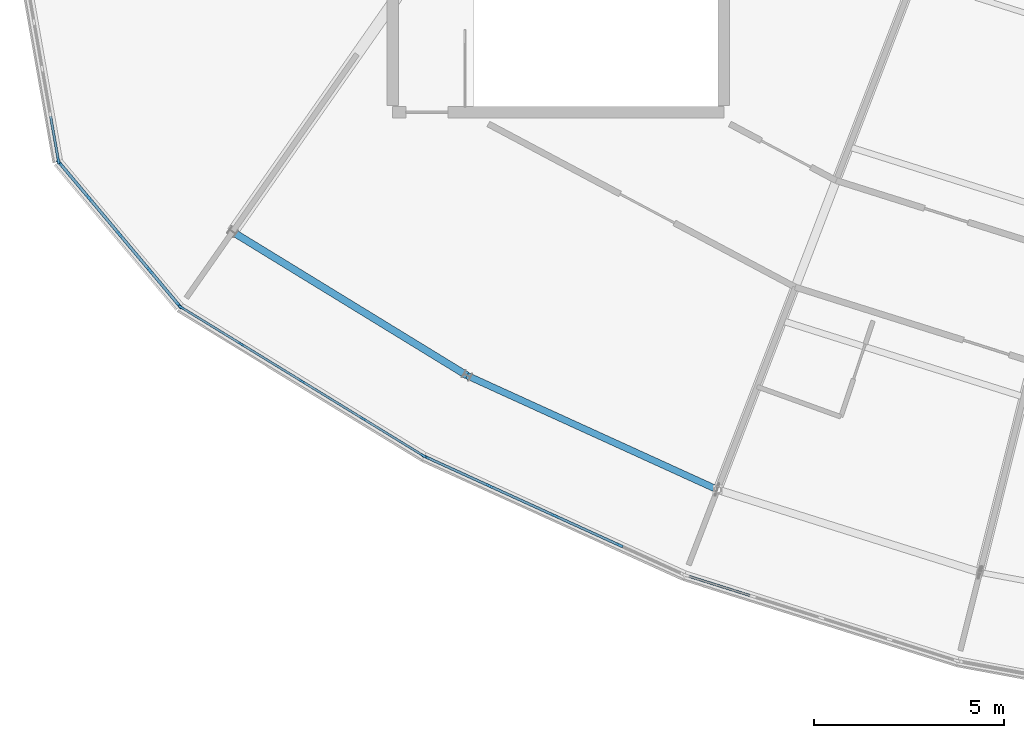
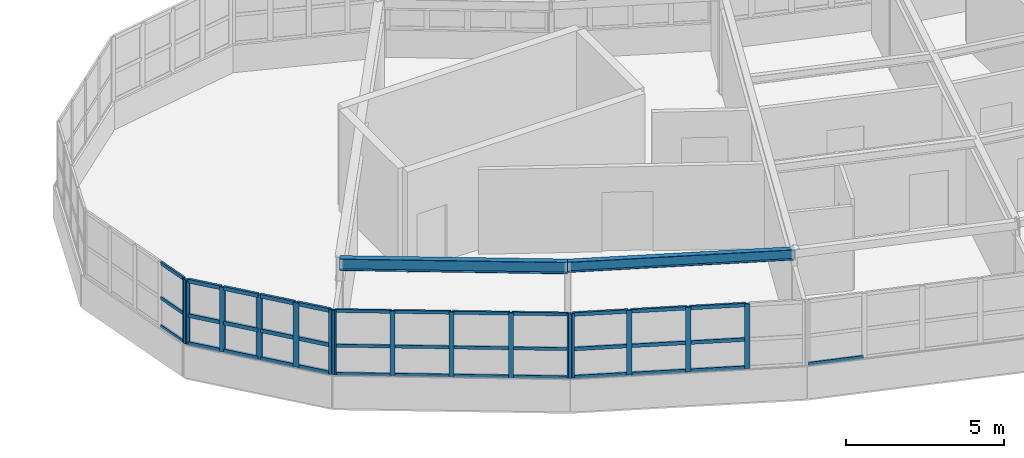
# One storey, part 14 of 60: 52 members, 2 beams, 5 elements without a shape of their own.
"""IFC4 building model written with IfcOpenShell, lengths in metres."""

from ifc_helpers import new_model, si_unit, direction, frame, origin, origin_2d, place, context, subcontext, project, spatial, rectangle, i_section, extrude, material, layer, layer_set, material_profile, profile_set, type_object, element, aggregate, save


model = new_model("IFC4")

# Units and contexts
model_context = context("Model", 3, precision=1e-05, world=origin(), true_north=direction((0.0, 1.0)))
body_context = subcontext(model_context, "Body", "Model", "MODEL_VIEW")
ifc_project = project(units=[si_unit("LENGTHUNIT", "METRE"), si_unit("AREAUNIT", "SQUARE_METRE"), si_unit("VOLUMEUNIT", "CUBIC_METRE"), si_unit("PLANEANGLEUNIT", "RADIAN"), si_unit("MASSUNIT", "GRAM", prefix="KILO")], contexts=[model_context])

# Site, building, storey
site_placement = place(None, origin())
site = spatial("IfcSite", under=ifc_project, at=site_placement, CompositionType="ELEMENT")
building_placement = place(site_placement, origin())
building = spatial("IfcBuilding", under=site, at=building_placement, Name="Tarnwether General Hospital", CompositionType="ELEMENT")
storey_placement = place(building_placement, frame((0.0, 0.0, 26.10009765625)))
storey = spatial("IfcBuildingStorey", under=building, at=storey_placement, Name="L06", CompositionType="ELEMENT", Elevation=26.10009765625)

# Beams
ifc_material_1 = material(Name="Steel Grade 350 (350 MPa)", Category="steel")
ifc_material_profile_1 = material_profile(ifc_material_1, i_section(OverallWidth=0.18994140625, OverallDepth=0.4541015625, WebThickness=0.008544921875, FlangeThickness=0.0126953125, at=origin_2d()), Name="460UB67.1")
ifc_profile_set_1 = profile_set([ifc_material_profile_1], Name="Steel Grade 350 (350 MPa)")
beam_type_1 = type_object("IfcBeamType", Name="BM-SP1", PredefinedType="SPANDREL", material=ifc_profile_set_1)
beam_1_placement = place(storey_placement, frame((58.0439453125, 14.506103515625, 3.6728515625), z_axis=(0.852678430503, -0.522436114902, 0.0), x_axis=(0.522436114902, 0.852678430503, 0.0)))
element("IfcBeam", 1, at=beam_1_placement, inside=storey, type_object=beam_type_1, Name="Curved Ward SE Outer Spandrel BMG-L06-5804_1451-6421_1073-2198", PredefinedType="SPANDREL", context=body_context, shape_type="SweptSolid", body=[
    extrude(i_section(OverallWidth=0.18994140625, OverallDepth=0.4541015625, WebThickness=0.008544921875, FlangeThickness=0.0126953125, at=origin_2d()), origin(), (0.0, 0.0, 1.0), 7.22802734375),
])
ifc_material_2 = material(Name="Steel Grade 350 (350 MPa)", Category="steel")
ifc_material_profile_2 = material_profile(ifc_material_2, i_section(OverallWidth=0.177978515625, OverallDepth=0.403076171875, WebThickness=0.007568359375, FlangeThickness=0.010986328125, at=origin_2d()), Name="410UB53.7")
ifc_profile_set_2 = profile_set([ifc_material_profile_2], Name="Steel Grade 350 (350 MPa)")
beam_type_2 = type_object("IfcBeamType", Name="BM-SP2", PredefinedType="SPANDREL", material=ifc_profile_set_2)
beam_2_placement = place(storey_placement, frame((64.20703125, 10.72998046875, 3.698486328125), z_axis=(0.909943842177, -0.414731484316, 0.0), x_axis=(0.414731484316, 0.909943842177, 0.0)))
element("IfcBeam", 2, at=beam_2_placement, inside=storey, type_object=beam_type_2, Name="Curved Ward SE Outer Spandrel BMG-L06-6421_1073-7078_773-2200", PredefinedType="SPANDREL", context=body_context, shape_type="SweptSolid", body=[
    extrude(i_section(OverallWidth=0.177978515625, OverallDepth=0.403076171875, WebThickness=0.007568359375, FlangeThickness=0.010986328125, at=origin_2d()), origin(), (0.0, 0.0, 1.0), 7.22900390625),
])

# Curtain wall, members
ifc_material_3 = material(Name="Anodised aluminium", Category="aluminium")
ifc_layer_1 = layer(ifc_material_3, 0.179931640625)
ifc_layer_set_1 = layer_set([ifc_layer_1], Name="Anodised aluminium")
curtain_wall_type_1 = type_object("IfcCurtainWallType", Name="CW-11", PredefinedType="NOTDEFINED", material=ifc_layer_set_1)
curtain_wall_1_placement = place(storey_placement, origin())
curtain_wall_1 = element("IfcCurtainWall", 3, at=curtain_wall_1_placement, inside=storey, type_object=curtain_wall_type_1, Name="Curtain Wall CWG-L06-631_86-0245", PredefinedType="NOTDEFINED")
ifc_material_4 = material(Name="Anodised aluminium", Category="aluminium")
ifc_material_profile_3 = material_profile(ifc_material_4, rectangle(XDim=0.06005859375, YDim=0.159912109375, at=origin_2d()), Name="ALU-MUL-60x160")
ifc_profile_set_3 = profile_set([ifc_material_profile_3], Name="Anodised aluminium")
member_type_1 = type_object("IfcMemberType", Name="CW-ML1", PredefinedType="MULLION", material=ifc_profile_set_3)
member_1_placement = place(storey_placement, frame((63.055419921875, 8.625732421875, 1.0498046875), z_axis=(0.0, 0.0, 1.0), x_axis=(-0.522509056361, -0.852633734977, 0.0)))
member_1 = element("IfcMember", 4, at=member_1_placement, type_object=member_type_1, Name="CW-11 mullion 1", PredefinedType="MULLION", context=body_context, shape_type="SweptSolid", body=[
    extrude(rectangle(XDim=0.06005859375, YDim=0.159912109375, at=origin_2d()), origin(), (0.0, 0.0, 1.0), 2.4951171875),
])
member_2_placement = place(storey_placement, frame((61.477783203125, 9.592529296875, 1.0498046875), z_axis=(0.0, 0.0, 1.0), x_axis=(-0.522509056361, -0.852633734977, 0.0)))
member_2 = element("IfcMember", 5, at=member_2_placement, type_object=member_type_1, Name="CW-11 mullion 2", PredefinedType="MULLION", context=body_context, shape_type="SweptSolid", body=[
    extrude(rectangle(XDim=0.06005859375, YDim=0.159912109375, at=origin_2d()), origin(), (0.0, 0.0, 1.0), 2.4951171875),
])
member_3_placement = place(storey_placement, frame((59.87451171875, 10.574951171875, 1.0498046875), z_axis=(0.0, 0.0, 1.0), x_axis=(-0.522509056361, -0.852633734977, 0.0)))
member_3 = element("IfcMember", 6, at=member_3_placement, type_object=member_type_1, Name="CW-11 mullion 3", PredefinedType="MULLION", context=body_context, shape_type="SweptSolid", body=[
    extrude(rectangle(XDim=0.06005859375, YDim=0.159912109375, at=origin_2d()), origin(), (0.0, 0.0, 1.0), 2.4951171875),
])
member_4_placement = place(storey_placement, frame((58.271240234375, 11.5576171875, 1.0498046875), z_axis=(0.0, 0.0, 1.0), x_axis=(-0.522509056361, -0.852633734977, 0.0)))
member_4 = element("IfcMember", 7, at=member_4_placement, type_object=member_type_1, Name="CW-11 mullion 4", PredefinedType="MULLION", context=body_context, shape_type="SweptSolid", body=[
    extrude(rectangle(XDim=0.06005859375, YDim=0.159912109375, at=origin_2d()), origin(), (0.0, 0.0, 1.0), 2.4951171875),
])
member_5_placement = place(storey_placement, frame((56.693603515625, 12.5244140625, 1.0498046875), z_axis=(0.0, 0.0, 1.0), x_axis=(-0.522509056361, -0.852633734977, 0.0)))
member_5 = element("IfcMember", 8, at=member_5_placement, type_object=member_type_1, Name="CW-11 mullion 5", PredefinedType="MULLION", context=body_context, shape_type="SweptSolid", body=[
    extrude(rectangle(XDim=0.06005859375, YDim=0.159912109375, at=origin_2d()), origin(), (0.0, 0.0, 1.0), 2.4951171875),
])

curtain_wall_2_placement = place(storey_placement, origin())
curtain_wall_2 = element("IfcCurtainWall", 9, at=curtain_wall_2_placement, inside=storey, type_object=curtain_wall_type_1, Name="Curtain Wall CWG-L06-699_55-0246", PredefinedType="NOTDEFINED")
ifc_material_5 = material(Name="Anodised aluminium", Category="aluminium")
ifc_material_profile_4 = material_profile(ifc_material_5, rectangle(XDim=0.070068359375, YDim=0.179931640625, at=origin_2d()), Name="ALU-MUL-70x180")
ifc_profile_set_4 = profile_set([ifc_material_profile_4], Name="Anodised aluminium")
member_type_2 = type_object("IfcMemberType", Name="CW-ML2", PredefinedType="MULLION", material=ifc_profile_set_4)
member_6_placement = place(storey_placement, frame((68.214111328125, 6.270751953125, 1.0498046875), z_axis=(0.0, 0.0, 1.0), x_axis=(-0.414694289316, -0.909960793886, 0.0)))
member_6 = element("IfcMember", 10, at=member_6_placement, type_object=member_type_2, Name="CW-11 mullion 2", PredefinedType="MULLION", context=body_context, shape_type="SweptSolid", body=[
    extrude(rectangle(XDim=0.070068359375, YDim=0.179931640625, at=origin_2d()), origin(), (0.0, 0.0, 1.0), 2.4951171875),
])
member_7_placement = place(storey_placement, frame((66.5029296875, 7.050537109375, 1.0498046875), z_axis=(0.0, 0.0, 1.0), x_axis=(-0.414694289316, -0.909960793886, 0.0)))
member_7 = element("IfcMember", 11, at=member_7_placement, type_object=member_type_2, Name="CW-11 mullion 3", PredefinedType="MULLION", context=body_context, shape_type="SweptSolid", body=[
    extrude(rectangle(XDim=0.070068359375, YDim=0.179931640625, at=origin_2d()), origin(), (0.0, 0.0, 1.0), 2.4951171875),
])
member_8_placement = place(storey_placement, frame((64.7919921875, 7.830322265625, 1.0498046875), z_axis=(0.0, 0.0, 1.0), x_axis=(-0.414694289316, -0.909960793886, 0.0)))
member_8 = element("IfcMember", 12, at=member_8_placement, type_object=member_type_2, Name="CW-11 mullion 4", PredefinedType="MULLION", context=body_context, shape_type="SweptSolid", body=[
    extrude(rectangle(XDim=0.070068359375, YDim=0.179931640625, at=origin_2d()), origin(), (0.0, 0.0, 1.0), 2.4951171875),
])
member_9_placement = place(storey_placement, frame((63.11279296875, 8.595458984375, 1.0498046875), z_axis=(0.0, 0.0, 1.0), x_axis=(-0.414694289316, -0.909960793886, 0.0)))
member_9 = element("IfcMember", 13, at=member_9_placement, type_object=member_type_2, Name="CW-11 mullion 5", PredefinedType="MULLION", context=body_context, shape_type="SweptSolid", body=[
    extrude(rectangle(XDim=0.070068359375, YDim=0.179931640625, at=origin_2d()), origin(), (0.0, 0.0, 1.0), 2.4951171875),
])

# Curtain wall, member
ifc_material_6 = material(Name="Anodised aluminium", Category="aluminium")
ifc_layer_2 = layer(ifc_material_6, 0.159912109375)
ifc_layer_set_2 = layer_set([ifc_layer_2], Name="Anodised aluminium")
curtain_wall_type_2 = type_object("IfcCurtainWallType", Name="CW-03", PredefinedType="NOTDEFINED", material=ifc_layer_set_2)
curtain_wall_3_placement = place(storey_placement, origin())
curtain_wall_3 = element("IfcCurtainWall", 14, at=curtain_wall_3_placement, inside=storey, type_object=curtain_wall_type_2, Name="Curtain Wall CWG-L06-535_163-0271", PredefinedType="NOTDEFINED")
ifc_material_7 = material(Name="Anodised aluminium", Category="aluminium")
ifc_material_profile_5 = material_profile(ifc_material_7, rectangle(XDim=0.06494140625, YDim=0.169921875, at=origin_2d()), Name="ALU-MUL-65x170")
ifc_profile_set_5 = profile_set([ifc_material_profile_5], Name="Anodised aluminium")
member_type_3 = type_object("IfcMemberType", Name="CW-ML3", PredefinedType="MULLION", material=ifc_profile_set_5)
member_10_placement = place(storey_placement, frame((53.46728515625, 16.37890625, 1.0498046875), z_axis=(0.0, 0.0, 1.0), x_axis=(-0.984840230098, -0.173463890135, 0.0)))
member_10 = element("IfcMember", 15, at=member_10_placement, type_object=member_type_3, Name="CW-03 mullion 1", PredefinedType="MULLION", context=body_context, shape_type="SweptSolid", body=[
    extrude(rectangle(XDim=0.06494140625, YDim=0.169921875, at=origin_2d()), origin(), (0.0, 0.0, 1.0), 2.4951171875),
])

# Curtain wall, members
curtain_wall_4_placement = place(storey_placement, origin())
curtain_wall_4 = element("IfcCurtainWall", 16, at=curtain_wall_4_placement, inside=storey, type_object=curtain_wall_type_2, Name="Curtain Wall CWG-L06-567_125-0272", PredefinedType="NOTDEFINED")
ifc_material_8 = material(Name="Anodised aluminium", Category="aluminium")
ifc_material_profile_6 = material_profile(ifc_material_8, rectangle(XDim=0.080078125, YDim=0.199951171875, at=origin_2d()), Name="ALU-MUL-80x200")
ifc_profile_set_6 = profile_set([ifc_material_profile_6], Name="Anodised aluminium")
member_type_4 = type_object("IfcMemberType", Name="CW-ML4", PredefinedType="MULLION", material=ifc_profile_set_6)
member_11_placement = place(storey_placement, frame((56.642333984375, 12.570556640625, 1.0498046875), z_axis=(0.0, 0.0, 1.0), x_axis=(-0.765990176896, -0.64285227611, 0.0)))
member_11 = element("IfcMember", 17, at=member_11_placement, type_object=member_type_4, Name="CW-03 mullion 1", PredefinedType="MULLION", context=body_context, shape_type="SweptSolid", body=[
    extrude(rectangle(XDim=0.080078125, YDim=0.199951171875, at=origin_2d()), origin(), (0.0, 0.0, 1.0), 2.4951171875),
])
member_12_placement = place(storey_placement, frame((55.869140625, 13.49169921875, 1.0498046875), z_axis=(0.0, 0.0, 1.0), x_axis=(-0.765990176896, -0.64285227611, 0.0)))
member_12 = element("IfcMember", 18, at=member_12_placement, type_object=member_type_4, Name="CW-03 mullion 2", PredefinedType="MULLION", context=body_context, shape_type="SweptSolid", body=[
    extrude(rectangle(XDim=0.080078125, YDim=0.199951171875, at=origin_2d()), origin(), (0.0, 0.0, 1.0), 2.4951171875),
])
member_13_placement = place(storey_placement, frame((55.070556640625, 14.443603515625, 1.0498046875), z_axis=(0.0, 0.0, 1.0), x_axis=(-0.765990176896, -0.64285227611, 0.0)))
member_13 = element("IfcMember", 19, at=member_13_placement, type_object=member_type_4, Name="CW-03 mullion 3", PredefinedType="MULLION", context=body_context, shape_type="SweptSolid", body=[
    extrude(rectangle(XDim=0.080078125, YDim=0.199951171875, at=origin_2d()), origin(), (0.0, 0.0, 1.0), 2.4951171875),
])
member_14_placement = place(storey_placement, frame((54.271728515625, 15.395263671875, 1.0498046875), z_axis=(0.0, 0.0, 1.0), x_axis=(-0.765990176896, -0.64285227611, 0.0)))
member_14 = element("IfcMember", 20, at=member_14_placement, type_object=member_type_4, Name="CW-03 mullion 4", PredefinedType="MULLION", context=body_context, shape_type="SweptSolid", body=[
    extrude(rectangle(XDim=0.080078125, YDim=0.199951171875, at=origin_2d()), origin(), (0.0, 0.0, 1.0), 2.4951171875),
])
member_15_placement = place(storey_placement, frame((53.498779296875, 16.31640625, 1.0498046875), z_axis=(0.0, 0.0, 1.0), x_axis=(-0.765990176896, -0.64285227611, 0.0)))
member_15 = element("IfcMember", 21, at=member_15_placement, type_object=member_type_4, Name="CW-03 mullion 5", PredefinedType="MULLION", context=body_context, shape_type="SweptSolid", body=[
    extrude(rectangle(XDim=0.080078125, YDim=0.199951171875, at=origin_2d()), origin(), (0.0, 0.0, 1.0), 2.4951171875),
])

# Member
ifc_material_9 = material(Name="Anodised aluminium", Category="aluminium")
ifc_material_profile_7 = material_profile(ifc_material_9, rectangle(XDim=0.06005859375, YDim=0.1201171875, at=origin_2d()), Name="ALU-TRN-60x120")
ifc_profile_set_7 = profile_set([ifc_material_profile_7], Name="Anodised aluminium")
member_type_5 = type_object("IfcMemberType", Name="CW-TR1", PredefinedType="USERDEFINED", material=ifc_profile_set_7)
member_16_placement = place(storey_placement, frame((63.02978515625, 8.641357421875, 1.079833984375), z_axis=(-0.852593412512, 0.522574849128, 0.0), x_axis=(-0.522574849128, -0.852593412512, 0.0)))
member_16 = element("IfcMember", 22, at=member_16_placement, type_object=member_type_5, Name="CW-11 transom 1.1", ObjectType="TRANSOM", PredefinedType="USERDEFINED", context=body_context, shape_type="SweptSolid", body=[
    extrude(rectangle(XDim=0.06005859375, YDim=0.1201171875, at=origin_2d()), origin(), (0.0, 0.0, 1.0), 1.790283203125),
])

member_17_placement = place(storey_placement, frame((63.02978515625, 8.641357421875, 2.172607421875), z_axis=(-0.852593412512, 0.522574849128, 0.0), x_axis=(-0.522574849128, -0.852593412512, 0.0)))
member_17 = element("IfcMember", 23, at=member_17_placement, type_object=member_type_5, Name="CW-11 transom 1.2", ObjectType="TRANSOM", PredefinedType="USERDEFINED", context=body_context, shape_type="SweptSolid", body=[
    extrude(rectangle(XDim=0.06005859375, YDim=0.1201171875, at=origin_2d()), origin(), (0.0, 0.0, 1.0), 1.790283203125),
])

member_18_placement = place(storey_placement, frame((63.02978515625, 8.641357421875, 3.514892578125), z_axis=(-0.852593412512, 0.522574849128, 0.0), x_axis=(-0.522574849128, -0.852593412512, 0.0)))
member_18 = element("IfcMember", 24, at=member_18_placement, type_object=member_type_5, Name="CW-11 transom 1.3", ObjectType="TRANSOM", PredefinedType="USERDEFINED", context=body_context, shape_type="SweptSolid", body=[
    extrude(rectangle(XDim=0.06005859375, YDim=0.1201171875, at=origin_2d()), origin(), (0.0, 0.0, 1.0), 1.790283203125),
])

member_19_placement = place(storey_placement, frame((61.4521484375, 9.608154296875, 1.079833984375), z_axis=(-0.852614745509, 0.522540042237, 0.0), x_axis=(-0.522540042237, -0.852614745509, 0.0)))
member_19 = element("IfcMember", 25, at=member_19_placement, type_object=member_type_5, Name="CW-11 transom 2.1", ObjectType="TRANSOM", PredefinedType="USERDEFINED", context=body_context, shape_type="SweptSolid", body=[
    extrude(rectangle(XDim=0.06005859375, YDim=0.1201171875, at=origin_2d()), origin(), (0.0, 0.0, 1.0), 1.8203125),
])

member_20_placement = place(storey_placement, frame((61.4521484375, 9.608154296875, 2.172607421875), z_axis=(-0.852614745509, 0.522540042237, 0.0), x_axis=(-0.522540042237, -0.852614745509, 0.0)))
member_20 = element("IfcMember", 26, at=member_20_placement, type_object=member_type_5, Name="CW-11 transom 2.2", ObjectType="TRANSOM", PredefinedType="USERDEFINED", context=body_context, shape_type="SweptSolid", body=[
    extrude(rectangle(XDim=0.06005859375, YDim=0.1201171875, at=origin_2d()), origin(), (0.0, 0.0, 1.0), 1.8203125),
])

member_21_placement = place(storey_placement, frame((61.4521484375, 9.608154296875, 3.514892578125), z_axis=(-0.852614745509, 0.522540042237, 0.0), x_axis=(-0.522540042237, -0.852614745509, 0.0)))
member_21 = element("IfcMember", 27, at=member_21_placement, type_object=member_type_5, Name="CW-11 transom 2.3", ObjectType="TRANSOM", PredefinedType="USERDEFINED", context=body_context, shape_type="SweptSolid", body=[
    extrude(rectangle(XDim=0.06005859375, YDim=0.1201171875, at=origin_2d()), origin(), (0.0, 0.0, 1.0), 1.8203125),
])

member_22_placement = place(storey_placement, frame((59.848876953125, 10.590576171875, 1.079833984375), z_axis=(-0.852614745509, 0.522540042237, 0.0), x_axis=(-0.522540042237, -0.852614745509, 0.0)))
member_22 = element("IfcMember", 28, at=member_22_placement, type_object=member_type_5, Name="CW-11 transom 3.1", ObjectType="TRANSOM", PredefinedType="USERDEFINED", context=body_context, shape_type="SweptSolid", body=[
    extrude(rectangle(XDim=0.06005859375, YDim=0.1201171875, at=origin_2d()), origin(), (0.0, 0.0, 1.0), 1.8203125),
])

member_23_placement = place(storey_placement, frame((59.848876953125, 10.590576171875, 2.172607421875), z_axis=(-0.852614745509, 0.522540042237, 0.0), x_axis=(-0.522540042237, -0.852614745509, 0.0)))
member_23 = element("IfcMember", 29, at=member_23_placement, type_object=member_type_5, Name="CW-11 transom 3.2", ObjectType="TRANSOM", PredefinedType="USERDEFINED", context=body_context, shape_type="SweptSolid", body=[
    extrude(rectangle(XDim=0.06005859375, YDim=0.1201171875, at=origin_2d()), origin(), (0.0, 0.0, 1.0), 1.8203125),
])

member_24_placement = place(storey_placement, frame((59.848876953125, 10.590576171875, 3.514892578125), z_axis=(-0.852614745509, 0.522540042237, 0.0), x_axis=(-0.522540042237, -0.852614745509, 0.0)))
member_24 = element("IfcMember", 30, at=member_24_placement, type_object=member_type_5, Name="CW-11 transom 3.3", ObjectType="TRANSOM", PredefinedType="USERDEFINED", context=body_context, shape_type="SweptSolid", body=[
    extrude(rectangle(XDim=0.06005859375, YDim=0.1201171875, at=origin_2d()), origin(), (0.0, 0.0, 1.0), 1.8203125),
])

member_25_placement = place(storey_placement, frame((58.24560546875, 11.5732421875, 1.079833984375), z_axis=(-0.852654170479, 0.52247570811, 0.0), x_axis=(-0.52247570811, -0.852654170479, 0.0)))
member_25 = element("IfcMember", 31, at=member_25_placement, type_object=member_type_5, Name="CW-11 transom 4.1", ObjectType="TRANSOM", PredefinedType="USERDEFINED", context=body_context, shape_type="SweptSolid", body=[
    extrude(rectangle(XDim=0.06005859375, YDim=0.1201171875, at=origin_2d()), origin(), (0.0, 0.0, 1.0), 1.7900390625),
])

member_26_placement = place(storey_placement, frame((58.24560546875, 11.5732421875, 2.172607421875), z_axis=(-0.852654170479, 0.52247570811, 0.0), x_axis=(-0.52247570811, -0.852654170479, 0.0)))
member_26 = element("IfcMember", 32, at=member_26_placement, type_object=member_type_5, Name="CW-11 transom 4.2", ObjectType="TRANSOM", PredefinedType="USERDEFINED", context=body_context, shape_type="SweptSolid", body=[
    extrude(rectangle(XDim=0.06005859375, YDim=0.1201171875, at=origin_2d()), origin(), (0.0, 0.0, 1.0), 1.7900390625),
])

member_27_placement = place(storey_placement, frame((58.24560546875, 11.5732421875, 3.514892578125), z_axis=(-0.852654170479, 0.52247570811, 0.0), x_axis=(-0.52247570811, -0.852654170479, 0.0)))
member_27 = element("IfcMember", 33, at=member_27_placement, type_object=member_type_5, Name="CW-11 transom 4.3", ObjectType="TRANSOM", PredefinedType="USERDEFINED", context=body_context, shape_type="SweptSolid", body=[
    extrude(rectangle(XDim=0.06005859375, YDim=0.1201171875, at=origin_2d()), origin(), (0.0, 0.0, 1.0), 1.7900390625),
])

aggregate(curtain_wall_1, [member_1, member_2, member_3, member_4, member_5, member_16, member_17, member_18, member_19, member_20, member_21, member_22, member_23, member_24, member_25, member_26, member_27])

ifc_material_10 = material(Name="Anodised aluminium", Category="aluminium")
ifc_material_profile_8 = material_profile(ifc_material_10, rectangle(XDim=0.070068359375, YDim=0.139892578125, at=origin_2d()), Name="ALU-TRN-70x140")
ifc_profile_set_8 = profile_set([ifc_material_profile_8], Name="Anodised aluminium")
member_type_6 = type_object("IfcMemberType", Name="CW-TR2", PredefinedType="USERDEFINED", material=ifc_profile_set_8)
member_28_placement = place(storey_placement, frame((68.18212890625, 6.28515625, 1.0849609375), z_axis=(-0.90995033094, 0.414717247316, 0.0), x_axis=(-0.414717247316, -0.90995033094, 0.0)))
member_28 = element("IfcMember", 34, at=member_28_placement, type_object=member_type_6, Name="CW-11 transom 2.1", ObjectType="TRANSOM", PredefinedType="USERDEFINED", context=body_context, shape_type="SweptSolid", body=[
    extrude(rectangle(XDim=0.070068359375, YDim=0.139892578125, at=origin_2d()), origin(), (0.0, 0.0, 1.0), 1.810302734375),
])

member_29_placement = place(storey_placement, frame((68.18212890625, 6.28515625, 2.172607421875), z_axis=(-0.90995033094, 0.414717247316, 0.0), x_axis=(-0.414717247316, -0.90995033094, 0.0)))
member_29 = element("IfcMember", 35, at=member_29_placement, type_object=member_type_6, Name="CW-11 transom 2.2", ObjectType="TRANSOM", PredefinedType="USERDEFINED", context=body_context, shape_type="SweptSolid", body=[
    extrude(rectangle(XDim=0.070068359375, YDim=0.139892578125, at=origin_2d()), origin(), (0.0, 0.0, 1.0), 1.810302734375),
])

member_30_placement = place(storey_placement, frame((68.18212890625, 6.28515625, 3.510009765625), z_axis=(-0.90995033094, 0.414717247316, 0.0), x_axis=(-0.414717247316, -0.90995033094, 0.0)))
member_30 = element("IfcMember", 36, at=member_30_placement, type_object=member_type_6, Name="CW-11 transom 2.3", ObjectType="TRANSOM", PredefinedType="USERDEFINED", context=body_context, shape_type="SweptSolid", body=[
    extrude(rectangle(XDim=0.070068359375, YDim=0.139892578125, at=origin_2d()), origin(), (0.0, 0.0, 1.0), 1.810302734375),
])

member_31_placement = place(storey_placement, frame((66.47119140625, 7.06494140625, 1.0849609375), z_axis=(-0.909973522568, 0.41466635772, 0.0), x_axis=(-0.41466635772, -0.909973522568, 0.0)))
member_31 = element("IfcMember", 37, at=member_31_placement, type_object=member_type_6, Name="CW-11 transom 3.1", ObjectType="TRANSOM", PredefinedType="USERDEFINED", context=body_context, shape_type="SweptSolid", body=[
    extrude(rectangle(XDim=0.070068359375, YDim=0.139892578125, at=origin_2d()), origin(), (0.0, 0.0, 1.0), 1.810546875),
])

member_32_placement = place(storey_placement, frame((66.47119140625, 7.06494140625, 2.172607421875), z_axis=(-0.909973522568, 0.41466635772, 0.0), x_axis=(-0.41466635772, -0.909973522568, 0.0)))
member_32 = element("IfcMember", 38, at=member_32_placement, type_object=member_type_6, Name="CW-11 transom 3.2", ObjectType="TRANSOM", PredefinedType="USERDEFINED", context=body_context, shape_type="SweptSolid", body=[
    extrude(rectangle(XDim=0.070068359375, YDim=0.139892578125, at=origin_2d()), origin(), (0.0, 0.0, 1.0), 1.810546875),
])

member_33_placement = place(storey_placement, frame((66.47119140625, 7.06494140625, 3.510009765625), z_axis=(-0.909973522568, 0.41466635772, 0.0), x_axis=(-0.41466635772, -0.909973522568, 0.0)))
member_33 = element("IfcMember", 39, at=member_33_placement, type_object=member_type_6, Name="CW-11 transom 3.3", ObjectType="TRANSOM", PredefinedType="USERDEFINED", context=body_context, shape_type="SweptSolid", body=[
    extrude(rectangle(XDim=0.070068359375, YDim=0.139892578125, at=origin_2d()), origin(), (0.0, 0.0, 1.0), 1.810546875),
])

member_34_placement = place(storey_placement, frame((64.76025390625, 7.8447265625, 1.0849609375), z_axis=(-0.909937431902, 0.414745548529, 0.0), x_axis=(-0.414745548529, -0.909937431902, 0.0)))
member_34 = element("IfcMember", 40, at=member_34_placement, type_object=member_type_6, Name="CW-11 transom 4.1", ObjectType="TRANSOM", PredefinedType="USERDEFINED", context=body_context, shape_type="SweptSolid", body=[
    extrude(rectangle(XDim=0.070068359375, YDim=0.139892578125, at=origin_2d()), origin(), (0.0, 0.0, 1.0), 1.775390625),
])

member_35_placement = place(storey_placement, frame((64.76025390625, 7.8447265625, 2.172607421875), z_axis=(-0.909937431902, 0.414745548529, 0.0), x_axis=(-0.414745548529, -0.909937431902, 0.0)))
member_35 = element("IfcMember", 41, at=member_35_placement, type_object=member_type_6, Name="CW-11 transom 4.2", ObjectType="TRANSOM", PredefinedType="USERDEFINED", context=body_context, shape_type="SweptSolid", body=[
    extrude(rectangle(XDim=0.070068359375, YDim=0.139892578125, at=origin_2d()), origin(), (0.0, 0.0, 1.0), 1.775390625),
])

member_36_placement = place(storey_placement, frame((64.76025390625, 7.8447265625, 3.510009765625), z_axis=(-0.909937431902, 0.414745548529, 0.0), x_axis=(-0.414745548529, -0.909937431902, 0.0)))
member_36 = element("IfcMember", 42, at=member_36_placement, type_object=member_type_6, Name="CW-11 transom 4.3", ObjectType="TRANSOM", PredefinedType="USERDEFINED", context=body_context, shape_type="SweptSolid", body=[
    extrude(rectangle(XDim=0.070068359375, YDim=0.139892578125, at=origin_2d()), origin(), (0.0, 0.0, 1.0), 1.775390625),
])

aggregate(curtain_wall_2, [member_6, member_7, member_8, member_9, member_28, member_29, member_30, member_31, member_32, member_33, member_34, member_35, member_36])

# Curtain wall, member
curtain_wall_5_placement = place(storey_placement, origin())
curtain_wall_5 = element("IfcCurtainWall", 43, at=curtain_wall_5_placement, inside=storey, type_object=curtain_wall_type_1, Name="Curtain Wall CWG-L06-771_32-0247", PredefinedType="NOTDEFINED")
ifc_material_11 = material(Name="Anodised aluminium", Category="aluminium")
ifc_material_profile_9 = material_profile(ifc_material_11, rectangle(XDim=0.06494140625, YDim=0.1298828125, at=origin_2d()), Name="ALU-TRN-65x130")
ifc_profile_set_9 = profile_set([ifc_material_profile_9], Name="Anodised aluminium")
member_type_7 = type_object("IfcMemberType", Name="CW-TR3", PredefinedType="USERDEFINED", material=ifc_profile_set_9)
member_37_placement = place(storey_placement, frame((71.687255859375, 4.935546875, 1.08251953125), z_axis=(-0.953746041138, 0.300613521008, 0.0), x_axis=(-0.300613521008, -0.953746041138, 0.0)))
member_37 = element("IfcMember", 44, at=member_37_placement, type_object=member_type_7, Name="CW-11 transom 4.1", ObjectType="TRANSOM", PredefinedType="USERDEFINED", context=body_context, shape_type="SweptSolid", body=[
    extrude(rectangle(XDim=0.06494140625, YDim=0.1298828125, at=origin_2d()), origin(), (0.0, 0.0, 1.0), 1.78271484375),
])
aggregate(curtain_wall_5, [member_37])

# Member
member_38_placement = place(storey_placement, frame((53.461669921875, 16.4111328125, 1.08251953125), z_axis=(-0.173383838773, 0.984854326513, 0.0), x_axis=(-0.984854326513, -0.173383838773, 0.0)))
member_38 = element("IfcMember", 45, at=member_38_placement, type_object=member_type_7, Name="CW-03 transom 1.1", ObjectType="TRANSOM", PredefinedType="USERDEFINED", context=body_context, shape_type="SweptSolid", body=[
    extrude(rectangle(XDim=0.06494140625, YDim=0.1298828125, at=origin_2d()), origin(), (0.0, 0.0, 1.0), 1.144775390625),
])

member_39_placement = place(storey_placement, frame((53.461669921875, 16.4111328125, 2.172607421875), z_axis=(-0.173383838773, 0.984854326513, 0.0), x_axis=(-0.984854326513, -0.173383838773, 0.0)))
member_39 = element("IfcMember", 46, at=member_39_placement, type_object=member_type_7, Name="CW-03 transom 1.2", ObjectType="TRANSOM", PredefinedType="USERDEFINED", context=body_context, shape_type="SweptSolid", body=[
    extrude(rectangle(XDim=0.06494140625, YDim=0.1298828125, at=origin_2d()), origin(), (0.0, 0.0, 1.0), 1.144775390625),
])

member_40_placement = place(storey_placement, frame((53.461669921875, 16.4111328125, 3.512451171875), z_axis=(-0.173383838773, 0.984854326513, 0.0), x_axis=(-0.984854326513, -0.173383838773, 0.0)))
member_40 = element("IfcMember", 47, at=member_40_placement, type_object=member_type_7, Name="CW-03 transom 1.3", ObjectType="TRANSOM", PredefinedType="USERDEFINED", context=body_context, shape_type="SweptSolid", body=[
    extrude(rectangle(XDim=0.06494140625, YDim=0.1298828125, at=origin_2d()), origin(), (0.0, 0.0, 1.0), 1.144775390625),
])

aggregate(curtain_wall_3, [member_10, member_38, member_39, member_40])

ifc_material_12 = material(Name="Anodised aluminium", Category="aluminium")
ifc_material_profile_10 = material_profile(ifc_material_12, rectangle(XDim=0.080078125, YDim=0.14990234375, at=origin_2d()), Name="ALU-TRN-80x150")
ifc_profile_set_10 = profile_set([ifc_material_profile_10], Name="Anodised aluminium")
member_type_8 = type_object("IfcMemberType", Name="CW-TR4", PredefinedType="USERDEFINED", material=ifc_profile_set_10)
member_41_placement = place(storey_placement, frame((56.616455078125, 12.601318359375, 1.08984375), z_axis=(-0.642748180301, 0.766077526572, 0.0), x_axis=(-0.766077526572, -0.642748180301, 0.0)))
member_41 = element("IfcMember", 48, at=member_41_placement, type_object=member_type_8, Name="CW-03 transom 1.1", ObjectType="TRANSOM", PredefinedType="USERDEFINED", context=body_context, shape_type="SweptSolid", body=[
    extrude(rectangle(XDim=0.080078125, YDim=0.14990234375, at=origin_2d()), origin(), (0.0, 0.0, 1.0), 1.122314453125),
])

member_42_placement = place(storey_placement, frame((56.616455078125, 12.601318359375, 2.172607421875), z_axis=(-0.642748180301, 0.766077526572, 0.0), x_axis=(-0.766077526572, -0.642748180301, 0.0)))
member_42 = element("IfcMember", 49, at=member_42_placement, type_object=member_type_8, Name="CW-03 transom 1.2", ObjectType="TRANSOM", PredefinedType="USERDEFINED", context=body_context, shape_type="SweptSolid", body=[
    extrude(rectangle(XDim=0.080078125, YDim=0.14990234375, at=origin_2d()), origin(), (0.0, 0.0, 1.0), 1.122314453125),
])

member_43_placement = place(storey_placement, frame((56.616455078125, 12.601318359375, 3.5048828125), z_axis=(-0.642748180301, 0.766077526572, 0.0), x_axis=(-0.766077526572, -0.642748180301, 0.0)))
member_43 = element("IfcMember", 50, at=member_43_placement, type_object=member_type_8, Name="CW-03 transom 1.3", ObjectType="TRANSOM", PredefinedType="USERDEFINED", context=body_context, shape_type="SweptSolid", body=[
    extrude(rectangle(XDim=0.080078125, YDim=0.14990234375, at=origin_2d()), origin(), (0.0, 0.0, 1.0), 1.122314453125),
])

member_44_placement = place(storey_placement, frame((55.843505859375, 13.5224609375, 1.08984375), z_axis=(-0.642886651766, 0.765961326035, 0.0), x_axis=(-0.765961326035, -0.642886651766, 0.0)))
member_44 = element("IfcMember", 51, at=member_44_placement, type_object=member_type_8, Name="CW-03 transom 2.1", ObjectType="TRANSOM", PredefinedType="USERDEFINED", context=body_context, shape_type="SweptSolid", body=[
    extrude(rectangle(XDim=0.080078125, YDim=0.14990234375, at=origin_2d()), origin(), (0.0, 0.0, 1.0), 1.162353515625),
])

member_45_placement = place(storey_placement, frame((55.843505859375, 13.5224609375, 2.172607421875), z_axis=(-0.642886651766, 0.765961326035, 0.0), x_axis=(-0.765961326035, -0.642886651766, 0.0)))
member_45 = element("IfcMember", 52, at=member_45_placement, type_object=member_type_8, Name="CW-03 transom 2.2", ObjectType="TRANSOM", PredefinedType="USERDEFINED", context=body_context, shape_type="SweptSolid", body=[
    extrude(rectangle(XDim=0.080078125, YDim=0.14990234375, at=origin_2d()), origin(), (0.0, 0.0, 1.0), 1.162353515625),
])

member_46_placement = place(storey_placement, frame((55.843505859375, 13.5224609375, 3.5048828125), z_axis=(-0.642886651766, 0.765961326035, 0.0), x_axis=(-0.765961326035, -0.642886651766, 0.0)))
member_46 = element("IfcMember", 53, at=member_46_placement, type_object=member_type_8, Name="CW-03 transom 2.3", ObjectType="TRANSOM", PredefinedType="USERDEFINED", context=body_context, shape_type="SweptSolid", body=[
    extrude(rectangle(XDim=0.080078125, YDim=0.14990234375, at=origin_2d()), origin(), (0.0, 0.0, 1.0), 1.162353515625),
])

member_47_placement = place(storey_placement, frame((55.044677734375, 14.47412109375, 1.08984375), z_axis=(-0.642886651766, 0.765961326035, 0.0), x_axis=(-0.765961326035, -0.642886651766, 0.0)))
member_47 = element("IfcMember", 54, at=member_47_placement, type_object=member_type_8, Name="CW-03 transom 3.1", ObjectType="TRANSOM", PredefinedType="USERDEFINED", context=body_context, shape_type="SweptSolid", body=[
    extrude(rectangle(XDim=0.080078125, YDim=0.14990234375, at=origin_2d()), origin(), (0.0, 0.0, 1.0), 1.162353515625),
])

member_48_placement = place(storey_placement, frame((55.044677734375, 14.47412109375, 2.172607421875), z_axis=(-0.642886651766, 0.765961326035, 0.0), x_axis=(-0.765961326035, -0.642886651766, 0.0)))
member_48 = element("IfcMember", 55, at=member_48_placement, type_object=member_type_8, Name="CW-03 transom 3.2", ObjectType="TRANSOM", PredefinedType="USERDEFINED", context=body_context, shape_type="SweptSolid", body=[
    extrude(rectangle(XDim=0.080078125, YDim=0.14990234375, at=origin_2d()), origin(), (0.0, 0.0, 1.0), 1.162353515625),
])

member_49_placement = place(storey_placement, frame((55.044677734375, 14.47412109375, 3.5048828125), z_axis=(-0.642886651766, 0.765961326035, 0.0), x_axis=(-0.765961326035, -0.642886651766, 0.0)))
member_49 = element("IfcMember", 56, at=member_49_placement, type_object=member_type_8, Name="CW-03 transom 3.3", ObjectType="TRANSOM", PredefinedType="USERDEFINED", context=body_context, shape_type="SweptSolid", body=[
    extrude(rectangle(XDim=0.080078125, YDim=0.14990234375, at=origin_2d()), origin(), (0.0, 0.0, 1.0), 1.162353515625),
])

member_50_placement = place(storey_placement, frame((54.24609375, 15.42578125, 1.08984375), z_axis=(-0.642875805885, 0.765970429069, 0.0), x_axis=(-0.765970429069, -0.642875805885, 0.0)))
member_50 = element("IfcMember", 57, at=member_50_placement, type_object=member_type_8, Name="CW-03 transom 4.1", ObjectType="TRANSOM", PredefinedType="USERDEFINED", context=body_context, shape_type="SweptSolid", body=[
    extrude(rectangle(XDim=0.080078125, YDim=0.14990234375, at=origin_2d()), origin(), (0.0, 0.0, 1.0), 1.12255859375),
])

member_51_placement = place(storey_placement, frame((54.24609375, 15.42578125, 2.172607421875), z_axis=(-0.642875805885, 0.765970429069, 0.0), x_axis=(-0.765970429069, -0.642875805885, 0.0)))
member_51 = element("IfcMember", 58, at=member_51_placement, type_object=member_type_8, Name="CW-03 transom 4.2", ObjectType="TRANSOM", PredefinedType="USERDEFINED", context=body_context, shape_type="SweptSolid", body=[
    extrude(rectangle(XDim=0.080078125, YDim=0.14990234375, at=origin_2d()), origin(), (0.0, 0.0, 1.0), 1.12255859375),
])

member_52_placement = place(storey_placement, frame((54.24609375, 15.42578125, 3.5048828125), z_axis=(-0.642875805885, 0.765970429069, 0.0), x_axis=(-0.765970429069, -0.642875805885, 0.0)))
member_52 = element("IfcMember", 59, at=member_52_placement, type_object=member_type_8, Name="CW-03 transom 4.3", ObjectType="TRANSOM", PredefinedType="USERDEFINED", context=body_context, shape_type="SweptSolid", body=[
    extrude(rectangle(XDim=0.080078125, YDim=0.14990234375, at=origin_2d()), origin(), (0.0, 0.0, 1.0), 1.12255859375),
])

aggregate(curtain_wall_4, [member_11, member_12, member_13, member_14, member_15, member_41, member_42, member_43, member_44, member_45, member_46, member_47, member_48, member_49, member_50, member_51, member_52])

save(model, "model.ifc")
